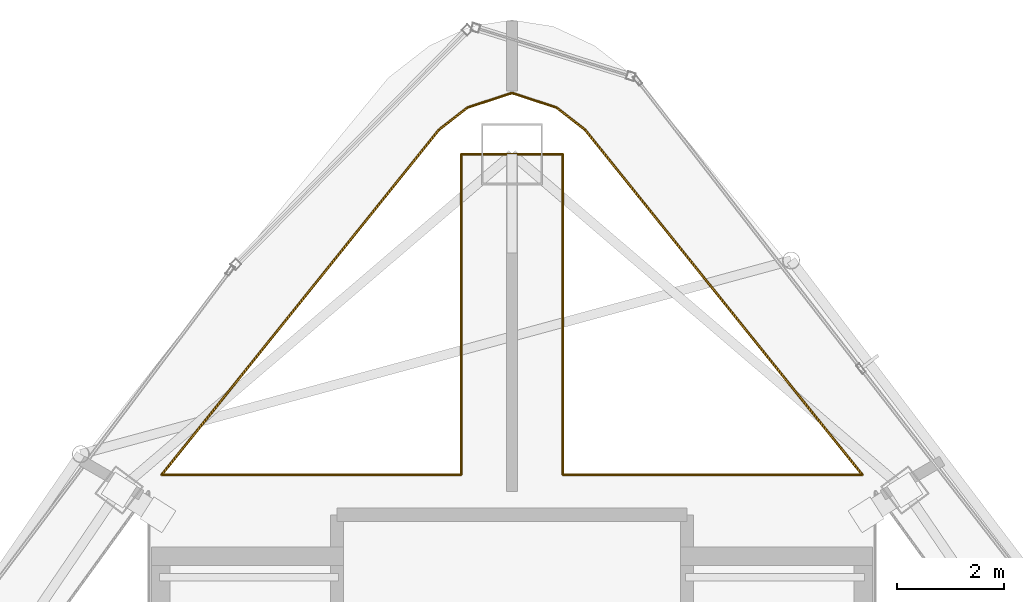
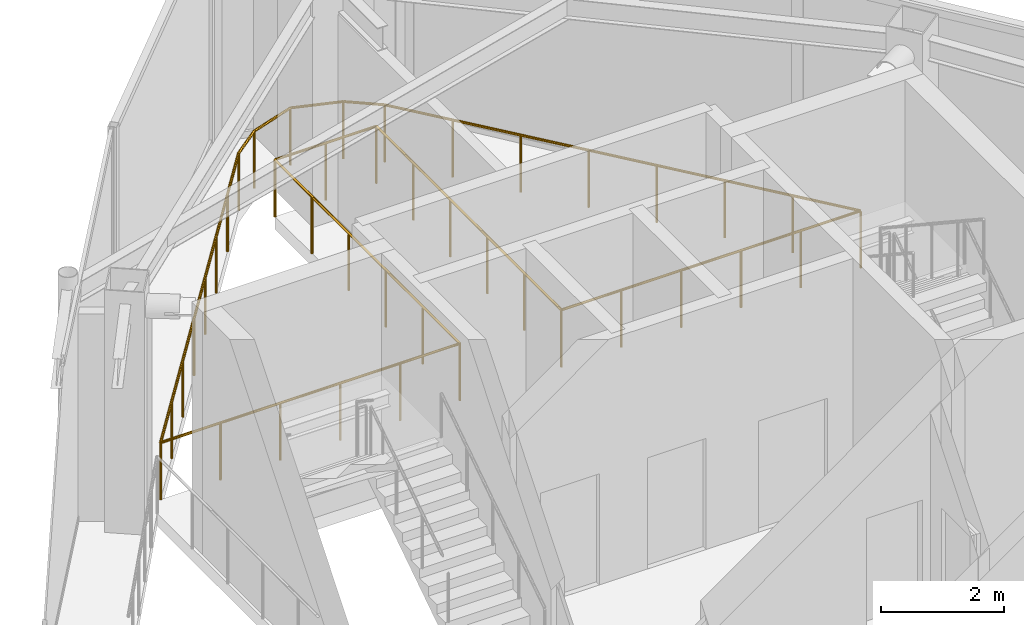
# One storey, part 20 of 20: 1 railing.
"""IFC4 building model written with IfcOpenShell, lengths in metres."""

from ifc_helpers import new_model, si_unit, direction, frame, origin, origin_2d, place, context, subcontext, project, spatial, circle, extrude, material, type_object, element, save


model = new_model("IFC4")

# Units and contexts
model_context = context("Model", 3, precision=1e-05, world=origin(), true_north=direction((0.0, 1.0)))
body_context = subcontext(model_context, "Body", "Model", "MODEL_VIEW")
ifc_project = project(units=[si_unit("LENGTHUNIT", "METRE"), si_unit("AREAUNIT", "SQUARE_METRE"), si_unit("VOLUMEUNIT", "CUBIC_METRE"), si_unit("PLANEANGLEUNIT", "RADIAN"), si_unit("MASSUNIT", "GRAM", prefix="KILO")], contexts=[model_context])

# Site, building, storey
site_placement = place(None, origin())
site = spatial("IfcSite", under=ifc_project, at=site_placement, CompositionType="ELEMENT")
building_placement = place(site_placement, origin())
building = spatial("IfcBuilding", under=site, at=building_placement, Name="Orvanel Arch Residences", CompositionType="ELEMENT")
storey_placement = place(building_placement, frame((0.0, 0.0, 305.300048828125)))
storey = spatial("IfcBuildingStorey", under=building, at=storey_placement, Name="L85", CompositionType="ELEMENT", Elevation=305.300048828125)

# Railing
ifc_material = material(Name="Bronze-anodised aluminium AA6063-T6", Category="aluminium")
railing_type = type_object("IfcRailingType", Name="RL-ATR-1150", PredefinedType="BALUSTRADE", material=ifc_material)
railing_placement = place(storey_placement, frame((39.554931640625, 35.39990234375, 0.0)))
element("IfcRailing", 1, at=railing_placement, inside=storey, type_object=railing_type, Name="L85 Crown Conservatory Void 1 Balustrade", PredefinedType="BALUSTRADE", context=body_context, shape_type="SweptSolid", body=[
    extrude(circle(Radius=0.02392578125, at=origin_2d()), frame((-0.00146484375, 0.0, 1.1259765625), z_axis=(-1.0, 0.0, 0.0), x_axis=(0.0, -1.0, 0.0)), (0.0, 0.0, 1.0), 5.60205078125),
    extrude(circle(Radius=0.02392578125, at=origin_2d()), frame((-5.60498046875, 0.00146484375, 1.1259765625), z_axis=(0.0, 1.0, 0.0), x_axis=(-1.0, 0.0, 0.0)), (0.0, 0.0, 1.0), 5.9951171875),
    extrude(circle(Radius=0.02392578125, at=origin_2d()), frame((-5.6064453125, 5.998046875, 1.1259765625), z_axis=(-1.0, 0.0, 0.0), x_axis=(0.0, -1.0, 0.0)), (0.0, 0.0, 1.0), 1.89697265625),
    extrude(circle(Radius=0.02392578125, at=origin_2d()), frame((-7.5048828125, 5.99658203125, 1.1259765625), z_axis=(0.0, -1.0, 0.0), x_axis=(1.0, 0.0, 0.0)), (0.0, 0.0, 1.0), 5.9951171875),
    extrude(circle(Radius=0.02392578125, at=origin_2d()), frame((-7.50634765625, 0.0, 1.1259765625), z_axis=(-1.0, 0.0, 0.0), x_axis=(0.0, -1.0, 0.0)), (0.0, 0.0, 1.0), 5.60205078125),
    extrude(circle(Radius=0.02392578125, at=origin_2d()), frame((-13.10888671875, 0.001220703125, 1.1259765625), z_axis=(0.626455081924, 0.779457523109, 0.0), x_axis=(-0.779457523109, 0.626455081924, 0.0)), (0.0, 0.0, 1.0), 8.278564453125),
    extrude(circle(Radius=0.02392578125, at=origin_2d()), frame((-7.920654296875, 6.4560546875, 1.1259765625), z_axis=(0.788982312602, 0.614415909951, 0.0), x_axis=(-0.614415909951, 0.788982312602, 0.0)), (0.0, 0.0, 1.0), 0.672607421875),
    extrude(circle(Radius=0.02392578125, at=origin_2d()), frame((-7.387451171875, 6.87060546875, 1.1259765625), z_axis=(0.950394138298, 0.311048198658, 0.0), x_axis=(-0.311048198658, 0.950394138298, 0.0)), (0.0, 0.0, 1.0), 0.87451171875),
    extrude(circle(Radius=0.02392578125, at=origin_2d()), frame((-6.553466796875, 7.142578125, 1.1259765625), z_axis=(0.950394138298, -0.311048198658, 0.0), x_axis=(0.311048198658, 0.950394138298, 0.0)), (0.0, 0.0, 1.0), 0.87451171875),
    extrude(circle(Radius=0.02392578125, at=origin_2d()), frame((-5.7197265625, 6.869140625, 1.1259765625), z_axis=(0.788982312602, -0.614415909951, 0.0), x_axis=(0.614415909951, 0.788982312602, 0.0)), (0.0, 0.0, 1.0), 0.672607421875),
    extrude(circle(Radius=0.02392578125, at=origin_2d()), frame((-5.18701171875, 6.453857421875, 1.1259765625), z_axis=(0.626455081924, -0.779457523109, 0.0), x_axis=(0.779457523109, 0.626455081924, 0.0)), (0.0, 0.0, 1.0), 8.278564453125),
    extrude(circle(Radius=0.02099609375, at=origin_2d()), origin(), (0.0, 0.0, 1.0), 1.099853515625),
    extrude(circle(Radius=0.02099609375, at=origin_2d()), frame((-1.12109375, 0.0, 0.0)), (0.0, 0.0, 1.0), 1.099853515625),
    extrude(circle(Radius=0.02099609375, at=origin_2d()), frame((-2.241943359375, 0.0, 0.0)), (0.0, 0.0, 1.0), 1.099853515625),
    extrude(circle(Radius=0.02099609375, at=origin_2d()), frame((-3.363037109375, 0.0, 0.0)), (0.0, 0.0, 1.0), 1.099853515625),
    extrude(circle(Radius=0.02099609375, at=origin_2d()), frame((-4.48388671875, 0.0, 0.0)), (0.0, 0.0, 1.0), 1.099853515625),
    extrude(circle(Radius=0.02099609375, at=origin_2d()), frame((-5.60498046875, 0.0, 0.0)), (0.0, 0.0, 1.0), 1.099853515625),
    extrude(circle(Radius=0.02099609375, at=origin_2d()), frame((-5.60498046875, 1.19970703125, 0.0)), (0.0, 0.0, 1.0), 1.099853515625),
    extrude(circle(Radius=0.02099609375, at=origin_2d()), frame((-5.60498046875, 2.399169921875, 0.0)), (0.0, 0.0, 1.0), 1.099853515625),
    extrude(circle(Radius=0.02099609375, at=origin_2d()), frame((-5.60498046875, 3.598876953125, 0.0)), (0.0, 0.0, 1.0), 1.099853515625),
    extrude(circle(Radius=0.02099609375, at=origin_2d()), frame((-5.60498046875, 4.79833984375, 0.0)), (0.0, 0.0, 1.0), 1.099853515625),
    extrude(circle(Radius=0.02099609375, at=origin_2d()), frame((-5.60498046875, 5.998046875, 0.0)), (0.0, 0.0, 1.0), 1.099853515625),
    extrude(circle(Radius=0.02099609375, at=origin_2d()), frame((-6.554931640625, 5.998046875, 0.0)), (0.0, 0.0, 1.0), 1.099853515625),
    extrude(circle(Radius=0.02099609375, at=origin_2d()), frame((-7.5048828125, 5.998046875, 0.0)), (0.0, 0.0, 1.0), 1.099853515625),
    extrude(circle(Radius=0.02099609375, at=origin_2d()), frame((-7.5048828125, 4.79833984375, 0.0)), (0.0, 0.0, 1.0), 1.099853515625),
    extrude(circle(Radius=0.02099609375, at=origin_2d()), frame((-7.5048828125, 3.598876953125, 0.0)), (0.0, 0.0, 1.0), 1.099853515625),
    extrude(circle(Radius=0.02099609375, at=origin_2d()), frame((-7.5048828125, 2.399169921875, 0.0)), (0.0, 0.0, 1.0), 1.099853515625),
    extrude(circle(Radius=0.02099609375, at=origin_2d()), frame((-7.5048828125, 1.19970703125, 0.0)), (0.0, 0.0, 1.0), 1.099853515625),
    extrude(circle(Radius=0.02099609375, at=origin_2d()), frame((-7.5048828125, 0.0, 0.0)), (0.0, 0.0, 1.0), 1.099853515625),
    extrude(circle(Radius=0.02099609375, at=origin_2d()), frame((-8.6259765625, 0.0, 0.0)), (0.0, 0.0, 1.0), 1.099853515625),
    extrude(circle(Radius=0.02099609375, at=origin_2d()), frame((-9.746826171875, 0.0, 0.0)), (0.0, 0.0, 1.0), 1.099853515625),
    extrude(circle(Radius=0.02099609375, at=origin_2d()), frame((-10.867919921875, 0.0, 0.0)), (0.0, 0.0, 1.0), 1.099853515625),
    extrude(circle(Radius=0.02099609375, at=origin_2d()), frame((-11.98876953125, 0.0, 0.0)), (0.0, 0.0, 1.0), 1.099853515625),
    extrude(circle(Radius=0.02099609375, at=origin_2d()), frame((-13.10986328125, 0.0, 0.0)), (0.0, 0.0, 1.0), 1.099853515625),
    extrude(circle(Radius=0.02099609375, at=origin_2d()), frame((-12.36865234375, 0.922119140625, 0.0)), (0.0, 0.0, 1.0), 1.099853515625),
    extrude(circle(Radius=0.02099609375, at=origin_2d()), frame((-11.627685546875, 1.84423828125, 0.0)), (0.0, 0.0, 1.0), 1.099853515625),
    extrude(circle(Radius=0.02099609375, at=origin_2d()), frame((-10.886474609375, 2.766357421875, 0.0)), (0.0, 0.0, 1.0), 1.099853515625),
    extrude(circle(Radius=0.02099609375, at=origin_2d()), frame((-10.145263671875, 3.688720703125, 0.0)), (0.0, 0.0, 1.0), 1.099853515625),
    extrude(circle(Radius=0.02099609375, at=origin_2d()), frame((-9.404052734375, 4.61083984375, 0.0)), (0.0, 0.0, 1.0), 1.099853515625),
    extrude(circle(Radius=0.02099609375, at=origin_2d()), frame((-8.6630859375, 5.532958984375, 0.0)), (0.0, 0.0, 1.0), 1.099853515625),
    extrude(circle(Radius=0.02099609375, at=origin_2d()), frame((-7.921875, 6.455078125, 0.0)), (0.0, 0.0, 1.0), 1.099853515625),
    extrude(circle(Radius=0.02099609375, at=origin_2d()), frame((-7.388916015625, 6.8701171875, 0.0)), (0.0, 0.0, 1.0), 1.099853515625),
    extrude(circle(Radius=0.02099609375, at=origin_2d()), frame((-6.554931640625, 7.14306640625, 0.0)), (0.0, 0.0, 1.0), 1.099853515625),
    extrude(circle(Radius=0.02099609375, at=origin_2d()), frame((-5.720947265625, 6.8701171875, 0.0)), (0.0, 0.0, 1.0), 1.099853515625),
    extrude(circle(Radius=0.02099609375, at=origin_2d()), frame((-5.18798828125, 6.455078125, 0.0)), (0.0, 0.0, 1.0), 1.099853515625),
    extrude(circle(Radius=0.02099609375, at=origin_2d()), frame((-4.44677734375, 5.532958984375, 0.0)), (0.0, 0.0, 1.0), 1.099853515625),
    extrude(circle(Radius=0.02099609375, at=origin_2d()), frame((-3.705810546875, 4.61083984375, 0.0)), (0.0, 0.0, 1.0), 1.099853515625),
    extrude(circle(Radius=0.02099609375, at=origin_2d()), frame((-2.964599609375, 3.688720703125, 0.0)), (0.0, 0.0, 1.0), 1.099853515625),
    extrude(circle(Radius=0.02099609375, at=origin_2d()), frame((-2.223388671875, 2.766357421875, 0.0)), (0.0, 0.0, 1.0), 1.099853515625),
    extrude(circle(Radius=0.02099609375, at=origin_2d()), frame((-1.482177734375, 1.84423828125, 0.0)), (0.0, 0.0, 1.0), 1.099853515625),
    extrude(circle(Radius=0.02099609375, at=origin_2d()), frame((-0.7412109375, 0.922119140625, 0.0)), (0.0, 0.0, 1.0), 1.099853515625),
])

save(model, "model.ifc")
